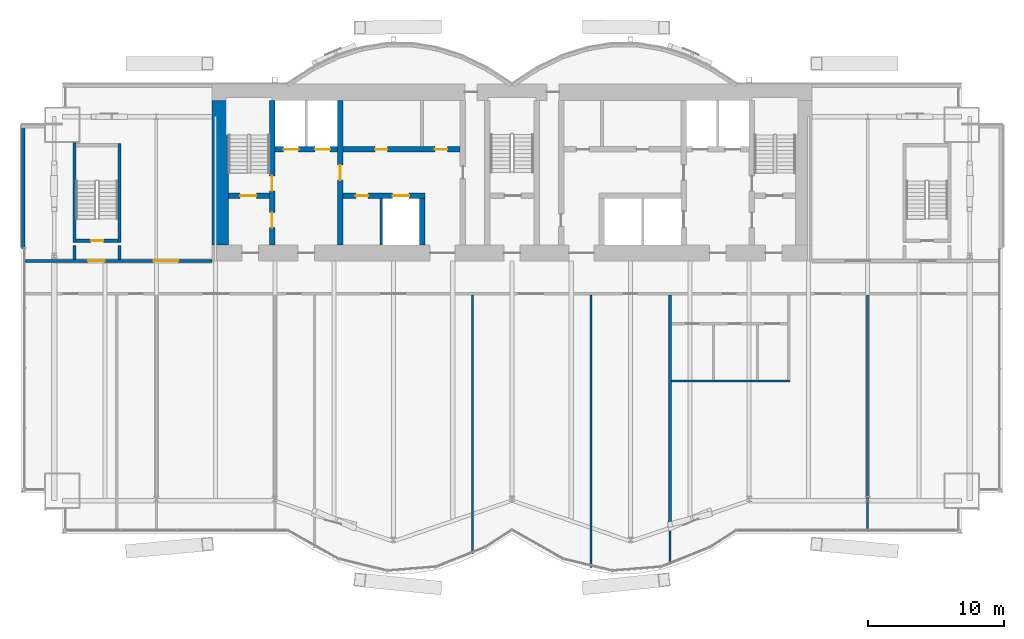
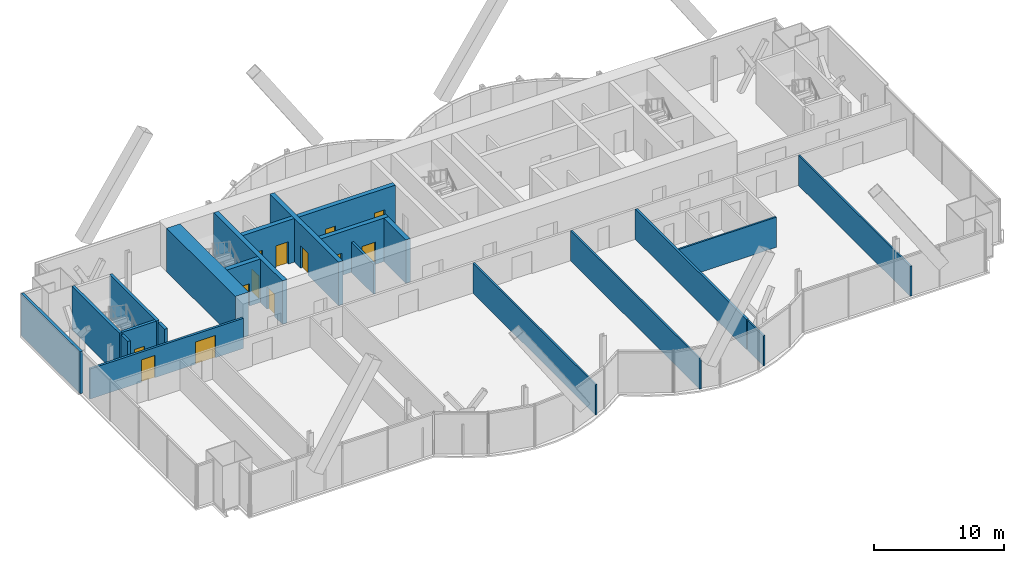
# One storey, part 15 of 21: 21 walls, 13 doors, 13 openings.
"""IFC4 building model written with IfcOpenShell, lengths in metres."""

import ifcopenshell
import ifcopenshell.guid

model = None  # the IFC model being written
_history = None  # IfcOwnerHistory: only IFC2X3 demands one
_inside = {}  # id of a spatial element -> (the spatial element, [elements in it])
_under = {}  # id of a project, library or spatial element -> (it, [spatial elements below it])
_declared = {}  # id of a project -> (the project, [libraries it declares])
_typed = {}  # id of a type object -> (the type object, [elements of that type])
_made_of = {}  # id of a material, layer set ... -> (it, [elements and type objects made of it])


def new_model(schema):
    """Start an empty IFC model of exactly this schema.

    Asked for "IFC4X3", IfcOpenShell would pick the latest addendum, in which some entities
    have other attributes; the version numbers below select the first issue.
    IFC2X3 requires an IfcOwnerHistory on every rooted entity: one is made here for all.
    """
    global model, _history
    if schema == "IFC4X3":
        model = ifcopenshell.file(schema_version=(4, 3, 0, 0))
    else:
        model = ifcopenshell.file(schema=schema)
    _inside.clear()
    _under.clear()
    _declared.clear()
    _typed.clear()
    _made_of.clear()
    _history = None
    if model.schema == "IFC2X3":
        org = make("IfcOrganization", Name="unknown")
        user = make(
            "IfcPersonAndOrganization",
            ThePerson=make("IfcPerson", FamilyName="unknown"),
            TheOrganization=org,
        )
        app = make(
            "IfcApplication",
            ApplicationDeveloper=org,
            Version="unknown",
            ApplicationFullName="unknown",
            ApplicationIdentifier="unknown",
        )
        _history = make(
            "IfcOwnerHistory",
            OwningUser=user,
            OwningApplication=app,
            ChangeAction="ADDED",
            CreationDate=0,
        )
    return model


def make(cls, **values):
    """One entity of the class cls with the attributes given. An attribute that is None is left unset."""
    return model.create_entity(
        cls, **{name: value for name, value in values.items() if value is not None}
    )


def rooted(cls, **values):
    """An entity with a GlobalId (a new one), such as an element, a storey or a relation."""
    return make(cls, GlobalId=ifcopenshell.guid.new(), OwnerHistory=_history, **values)


def si_unit(unit_type, name, prefix=None):
    """IfcSIUnit, for example si_unit("LENGTHUNIT", "METRE", prefix="MILLI")."""
    return make("IfcSIUnit", UnitType=unit_type, Prefix=prefix, Name=name)


def assignment(units):
    """IfcUnitAssignment: the units of a project."""
    return None if units is None else make("IfcUnitAssignment", Units=units)


def point(xyz):
    """IfcCartesianPoint."""
    return None if xyz is None else make("IfcCartesianPoint", Coordinates=xyz)


def direction(xyz):
    """IfcDirection."""
    return None if xyz is None else make("IfcDirection", DirectionRatios=xyz)


def frame(location, z_axis=None, x_axis=None):
    """IfcAxis2Placement3D, a coordinate frame: its origin and axes. An axis left out is left unset."""
    return make(
        "IfcAxis2Placement3D",
        Location=point(location),
        Axis=direction(z_axis),
        RefDirection=direction(x_axis),
    )


def frame_2d(location, x_axis=None):
    """IfcAxis2Placement2D, a coordinate frame in the plane: its origin and x axis."""
    return make(
        "IfcAxis2Placement2D", Location=point(location), RefDirection=direction(x_axis)
    )


def origin():
    """The frame at (0, 0, 0) with its axes left unset."""
    return frame((0.0, 0.0, 0.0))


def place(relative_to, where):
    """IfcLocalPlacement: puts the frame where relative to a parent placement (None: the world)."""
    return make(
        "IfcLocalPlacement", PlacementRelTo=relative_to, RelativePlacement=where
    )


def context(
    kind, dimensions, precision=None, world=None, true_north=None, identifier=None
):
    """IfcGeometricRepresentationContext, for example the 3D "Model" context."""
    return make(
        "IfcGeometricRepresentationContext",
        ContextIdentifier=identifier,
        ContextType=kind,
        CoordinateSpaceDimension=dimensions,
        Precision=precision,
        WorldCoordinateSystem=world,
        TrueNorth=true_north,
    )


def subcontext(parent, identifier, kind, view, scale=None):
    """IfcGeometricRepresentationSubContext, for example "Body" below "Model"."""
    return make(
        "IfcGeometricRepresentationSubContext",
        ContextIdentifier=identifier,
        ContextType=kind,
        ParentContext=parent,
        TargetScale=scale,
        TargetView=view,
    )


def project(units=None, contexts=None):
    """IfcProject with its units and contexts."""
    return rooted(
        "IfcProject",
        Name="project",
        RepresentationContexts=contexts,
        UnitsInContext=assignment(units),
    )


def spatial(cls, under=None, at=None, **own):
    """A site, building, storey or space (cls), placed at a placement, below another one or the project."""
    s = rooted(cls, ObjectPlacement=at, **own)
    if under is not None:
        _under.setdefault(under.id(), (under, []))[1].append(s)
    return s


def profile(cls, at=None, kind="AREA", **sizes):
    """A parametric profile (cls). Its sizes go by their IFC names, for example OverallWidth=200.0."""
    return make(cls, ProfileType=kind, Position=at, **sizes)


def rectangle(**sizes):
    """IfcRectangleProfileDef."""
    return profile("IfcRectangleProfileDef", **sizes)


def extrude(swept, where, along, depth):
    """IfcExtrudedAreaSolid: the profile swept, set in the frame where, extruded along a direction by depth."""
    return make(
        "IfcExtrudedAreaSolid",
        SweptArea=swept,
        Position=where,
        ExtrudedDirection=direction(along),
        Depth=depth,
    )


def shape(context_of_items, identifier, shape_type, items):
    """IfcShapeRepresentation: the items that make up one representation, for example the "Body"."""
    return make(
        "IfcShapeRepresentation",
        ContextOfItems=context_of_items,
        RepresentationIdentifier=identifier,
        RepresentationType=shape_type,
        Items=items,
    )


def material(Name=None, Category=None):
    """IfcMaterial."""
    return make("IfcMaterial", Name=Name, Category=Category)


def layer(
    of_material, thickness, ventilated=None, Name=None, Category=None, Priority=None
):
    """IfcMaterialLayer: one layer of a wall or slab, of a material (None: an air gap)."""
    return make(
        "IfcMaterialLayer",
        Material=of_material,
        LayerThickness=thickness,
        IsVentilated=ventilated,
        Name=Name,
        Category=Category,
        Priority=Priority,
    )


def layer_set(layers, Name=None):
    """IfcMaterialLayerSet."""
    return make("IfcMaterialLayerSet", MaterialLayers=layers, LayerSetName=Name)


def layer_usage(for_layer_set, set_direction, sense, offset, extent=None):
    """IfcMaterialLayerSetUsage: how a layer set lies in its element."""
    return make(
        "IfcMaterialLayerSetUsage",
        ForLayerSet=for_layer_set,
        LayerSetDirection=set_direction,
        DirectionSense=sense,
        OffsetFromReferenceLine=offset,
        ReferenceExtent=extent,
    )


def made_of(thing, what):
    """Note that an element or type object is made of a material, layer set ...; save() writes the relation."""
    if what is not None:
        _made_of.setdefault(what.id(), (what, []))[1].append(thing)
    return thing


def type_object(cls, material=None, **own):
    """A type object (cls), such as IfcWallType, which elements share."""
    return made_of(rooted(cls, **own), material)


def element(
    cls,
    number,
    at=None,
    inside=None,
    cuts=None,
    type_object=None,
    material=None,
    context=None,
    identifier="Body",
    shape_type=None,
    held_by="IfcProductDefinitionShape",
    body=None,
    shapes=None,
    **own,
):
    """One element of the class cls, such as IfcWall. Its Tag is "e" and its number.

    at: its placement. inside: the storey or other place that contains it. cuts: it is an
    opening in that element (IfcRelVoidsElement). A single representation is given by context,
    identifier, shape_type and body (its items); several are given by shapes. held_by: the class
    of the entity that holds the representations. save() writes the other relations.
    """
    e = rooted(cls, Tag="e%d" % number, ObjectPlacement=at, **own)
    if body is not None:
        shapes = [shape(context, identifier, shape_type, body)]
    if shapes is not None:
        e.Representation = make(held_by, Representations=shapes)
    if inside is not None:
        _inside.setdefault(inside.id(), (inside, []))[1].append(e)
    if cuts is not None:
        rooted(
            "IfcRelVoidsElement", RelatingBuildingElement=cuts, RelatedOpeningElement=e
        )
    if type_object is not None:
        _typed.setdefault(type_object.id(), (type_object, []))[1].append(e)
    return made_of(e, material)


def fill(opening, filler):
    """IfcRelFillsElement: the door or window that sits in an opening."""
    return rooted(
        "IfcRelFillsElement",
        RelatingOpeningElement=opening,
        RelatedBuildingElement=filler,
    )


def aggregate(whole, parts):
    """IfcRelAggregates: a whole, such as a stair, and the parts it consists of."""
    return rooted("IfcRelAggregates", RelatingObject=whole, RelatedObjects=parts)


def save(model, path):
    """Write the relations noted so far, then the file.

    IfcRelAggregates (storeys below a building ...), IfcRelContainedInSpatialStructure (elements
    in a storey), IfcRelDefinesByType, IfcRelAssociatesMaterial and IfcRelDeclares: one each for
    every whole, place, type object, material and project.
    """
    for whole, parts in _under.values():
        aggregate(whole, parts)
    for where, things in _inside.values():
        rooted(
            "IfcRelContainedInSpatialStructure",
            RelatedElements=things,
            RelatingStructure=where,
        )
    for kind, things in _typed.values():
        rooted("IfcRelDefinesByType", RelatedObjects=things, RelatingType=kind)
    for what, things in _made_of.values():
        rooted("IfcRelAssociatesMaterial", RelatedObjects=things, RelatingMaterial=what)
    for by, libraries in _declared.values():
        rooted("IfcRelDeclares", RelatingContext=by, RelatedDefinitions=libraries)
    model.write(path)


model = new_model("IFC4")

# Units and contexts
model_context = context("Model", 3, precision=1e-05, world=origin(), true_north=direction((0.0, 1.0)))
body_context = subcontext(model_context, "Body", "Model", "MODEL_VIEW")
ifc_project = project(units=[si_unit("LENGTHUNIT", "METRE"), si_unit("AREAUNIT", "SQUARE_METRE"), si_unit("VOLUMEUNIT", "CUBIC_METRE"), si_unit("PLANEANGLEUNIT", "RADIAN"), si_unit("MASSUNIT", "GRAM", prefix="KILO")], contexts=[model_context])

# Site, building, storey
site_placement = place(None, origin())
site = spatial("IfcSite", under=ifc_project, at=site_placement, CompositionType="ELEMENT")
building_placement = place(site_placement, origin())
building = spatial("IfcBuilding", under=site, at=building_placement, Name="Bicima Exchange Tower", CompositionType="ELEMENT")
storey_placement = place(building_placement, frame((0.0, 0.0, 195.0)))
storey = spatial("IfcBuildingStorey", under=building, at=storey_placement, Name="L43", CompositionType="ELEMENT", Elevation=195.0)

# Wall
ifc_material_1 = material(Name="Gypsum board partition")
ifc_layer_1 = layer(ifc_material_1, 0.199951171875)
ifc_layer_set_1 = layer_set([ifc_layer_1], Name="Gypsum board partition")
wall_type_1 = type_object("IfcWallType", Name="Fire-rated gypsum partition 200 EI120", PredefinedType="PARTITIONING", material=ifc_layer_set_1)
wall_1_placement = place(storey_placement, frame((-9.60009765625, -11.800048828125, 0.0), z_axis=(0.0, 0.0, 1.0), x_axis=(0.0, 1.0, 0.0)))
element("IfcWall", 1, at=wall_1_placement, inside=storey, type_object=wall_type_1, Name="partition wall 11", PredefinedType="PARTITIONING", context=body_context, shape_type="SweptSolid", body=[
    extrude(rectangle(XDim=3.400146484375, YDim=0.199951171875, at=frame_2d((1.7001953125, 0.0))), origin(), (0.0, 0.0, 1.0), 2.84033203125),
])

# Wall, openings, doors
ifc_layer_2 = layer(ifc_material_1, 0.199951171875)
ifc_layer_set_2 = layer_set([ifc_layer_2], Name="Gypsum board partition")
wall_type_2 = type_object("IfcWallType", Name="Fire-rated gypsum partition 200 EI60", PredefinedType="PARTITIONING", material=ifc_layer_set_2)
wall_2_placement = place(storey_placement, frame((-35.679931640625, -13.0, 0.0), z_axis=(0.0, 0.0, 1.0), x_axis=(1.0, 0.0, 0.0)))
wall_2 = element("IfcWall", 2, at=wall_2_placement, inside=storey, type_object=wall_type_2, Name="partition wall 4", PredefinedType="PARTITIONING", context=body_context, shape_type="SweptSolid", body=[
    extrude(rectangle(XDim=13.679931640625, YDim=0.199951171875, at=frame_2d((6.83984375, 0.0))), origin(), (0.0, 0.0, 1.0), 2.84033203125),
])
opening_1_placement = place(wall_2_placement, frame((4.580078125, 0.0, 0.0)))
opening_1 = element("IfcOpeningElement", 3, at=opening_1_placement, cuts=wall_2, Name="Opening L43-001", PredefinedType="OPENING", context=body_context, shape_type="SweptSolid", body=[
    extrude(rectangle(XDim=1.199951171875, YDim=2.10009765625, at=frame_2d((0.60009765625, 1.050048828125))), frame((0.0, 0.11181640625, 0.0), z_axis=(0.0, -1.0, 0.0), x_axis=(1.0, 0.0, 0.0)), (0.0, 0.0, 1.0), 0.223876953125),
])
opening_2_placement = place(wall_2_placement, frame((9.3798828125, 0.0, 0.0)))
opening_2 = element("IfcOpeningElement", 4, at=opening_2_placement, cuts=wall_2, Name="Opening L43-005", PredefinedType="OPENING", context=body_context, shape_type="SweptSolid", body=[
    extrude(rectangle(XDim=1.800048828125, YDim=2.10009765625, at=frame_2d((0.89990234375, 1.050048828125))), frame((0.0, 0.11181640625, 0.0), z_axis=(0.0, -1.0, 0.0), x_axis=(1.0, 0.0, 0.0)), (0.0, 0.0, 1.0), 0.223876953125),
])
ifc_material_2 = material(Name="Steel fire door leaf", Category="steel")
door_type_1 = type_object("IfcDoorType", Name="Door 1200 swing FD30S", OperationType="SINGLE_SWING_LEFT", PredefinedType="DOOR", material=ifc_material_2)
door_1_placement = place(opening_1_placement, origin())
door_1 = element("IfcDoor", 5, at=door_1_placement, inside=storey, type_object=door_type_1, Name="Door", OperationType="SINGLE_SWING_LEFT", OverallHeight=2.10009765625, OverallWidth=1.199951171875, PredefinedType="DOOR", context=body_context, shape_type="SweptSolid", body=[
    extrude(rectangle(XDim=1.199951171875, YDim=2.10009765625, at=frame_2d((0.60009765625, 1.050048828125))), frame((0.0, 0.02490234375, 0.0), z_axis=(0.0, -1.0, 0.0), x_axis=(1.0, 0.0, 0.0)), (0.0, 0.0, 1.0), 0.050048828125),
])
fill(opening_1, door_1)
door_type_2 = type_object("IfcDoorType", Name="Door 1800 double swing FD30S", OperationType="DOUBLE_DOOR_SINGLE_SWING", PredefinedType="DOOR", material=ifc_material_2)
door_2_placement = place(opening_2_placement, origin())
door_2 = element("IfcDoor", 6, at=door_2_placement, inside=storey, type_object=door_type_2, Name="Door", OperationType="SINGLE_SWING_LEFT", OverallHeight=2.10009765625, OverallWidth=1.800048828125, PredefinedType="DOOR", context=body_context, shape_type="SweptSolid", body=[
    extrude(rectangle(XDim=1.800048828125, YDim=2.10009765625, at=frame_2d((0.89990234375, 1.050048828125))), frame((0.0, 0.02490234375, 0.0), z_axis=(0.0, -1.0, 0.0), x_axis=(1.0, 0.0, 0.0)), (0.0, 0.0, 1.0), 0.050048828125),
])
fill(opening_2, door_2)

# Walls
wall_3_placement = place(storey_placement, frame((11.60009765625, -32.6591796875, 0.0), z_axis=(0.0, 0.0, 1.0), x_axis=(0.0, 1.0, 0.0)))
element("IfcWall", 7, at=wall_3_placement, inside=storey, type_object=wall_type_2, Name="partition wall 20", PredefinedType="PARTITIONING", context=body_context, shape_type="SweptSolid", body=[
    extrude(rectangle(XDim=17.1591796875, YDim=0.199951171875, at=frame_2d((8.57958984375, 0.0))), origin(), (0.0, 0.0, 1.0), 2.84033203125),
])
ifc_layer_3 = layer(ifc_material_1, 0.14990234375)
ifc_layer_set_3 = layer_set([ifc_layer_3], Name="Gypsum board partition")
wall_type_3 = type_object("IfcWallType", Name="Gypsum partition 150", PredefinedType="PARTITIONING", material=ifc_layer_set_3)
wall_4_placement = place(storey_placement, frame((11.699951171875, -21.800048828125, 0.0), z_axis=(0.0, 0.0, 1.0), x_axis=(1.0, 0.0, 0.0)))
element("IfcWall", 8, at=wall_4_placement, inside=storey, type_object=wall_type_3, Name="partition wall 1", PredefinedType="PARTITIONING", context=body_context, shape_type="SweptSolid", body=[
    extrude(rectangle(XDim=8.699951171875, YDim=0.14990234375, at=frame_2d((4.35009765625, 0.0))), origin(), (0.0, 0.0, 1.0), 2.84033203125),
])
wall_5_placement = place(storey_placement, frame((-2.89990234375, -34.43994140625, 0.0), z_axis=(0.0, 0.0, 1.0), x_axis=(0.0, 1.0, 0.0)))
element("IfcWall", 9, at=wall_5_placement, inside=storey, type_object=wall_type_3, Name="partition wall 17", PredefinedType="PARTITIONING", context=body_context, shape_type="SweptSolid", body=[
    extrude(rectangle(XDim=18.93994140625, YDim=0.14990234375, at=frame_2d((9.469970703125, 0.0))), origin(), (0.0, 0.0, 1.0), 2.84033203125),
])
wall_6_placement = place(storey_placement, frame((5.800048828125, -35.469970703125, 0.0), z_axis=(0.0, 0.0, 1.0), x_axis=(0.0, 1.0, 0.0)))
element("IfcWall", 10, at=wall_6_placement, inside=storey, type_object=wall_type_3, Name="partition wall 18", PredefinedType="PARTITIONING", context=body_context, shape_type="SweptSolid", body=[
    extrude(rectangle(XDim=19.969970703125, YDim=0.14990234375, at=frame_2d((9.98486328125, 0.0))), origin(), (0.0, 0.0, 1.0), 2.84033203125),
])
wall_7_placement = place(storey_placement, frame((11.60009765625, -35.219970703125, 0.0), z_axis=(0.0, 0.0, 1.0), x_axis=(0.0, 1.0, 0.0)))
element("IfcWall", 11, at=wall_7_placement, inside=storey, type_object=wall_type_3, Name="partition wall 19", PredefinedType="PARTITIONING", context=body_context, shape_type="SweptSolid", body=[
    extrude(rectangle(XDim=2.408203125, YDim=0.14990234375, at=frame_2d((1.2041015625, 0.0))), origin(), (0.0, 0.0, 1.0), 2.84033203125),
])
wall_8_placement = place(storey_placement, frame((26.10009765625, -32.760009765625, 0.0), z_axis=(0.0, 0.0, 1.0), x_axis=(0.0, 1.0, 0.0)))
element("IfcWall", 12, at=wall_8_placement, inside=storey, type_object=wall_type_3, Name="partition wall 24", PredefinedType="PARTITIONING", context=body_context, shape_type="SweptSolid", body=[
    extrude(rectangle(XDim=17.260009765625, YDim=0.14990234375, at=frame_2d((8.6298828125, 0.0))), origin(), (0.0, 0.0, 1.0), 2.84033203125),
])
ifc_material_3 = material(Name="Concrete C50/60", Category="concrete")
ifc_layer_4 = layer(ifc_material_3, 1.199951171875)
ifc_layer_set_4 = layer_set([ifc_layer_4], Name="Concrete C50/60")
wall_type_4 = type_object("IfcWallType", Name="RC core wall 1200 C50/60", PredefinedType="SHEAR", material=ifc_layer_set_4)
wall_9_placement = place(storey_placement, frame((-21.39990234375, -11.800048828125, 0.0), z_axis=(0.0, 0.0, 1.0), x_axis=(0.0, 1.0, 0.0)))
element("IfcWall", 13, at=wall_9_placement, inside=storey, type_object=wall_type_4, Name="Core wall west", PredefinedType="SHEAR", context=body_context, shape_type="SweptSolid", body=[
    extrude(rectangle(XDim=10.60009765625, YDim=1.199951171875, at=frame_2d((5.300048828125, 0.0))), origin(), (0.0, 0.0, 1.0), 4.10009765625),
])
ifc_layer_5 = layer(ifc_material_3, 0.25)
ifc_layer_set_5 = layer_set([ifc_layer_5], Name="Concrete C50/60")
wall_type_5 = type_object("IfcWallType", Name="RC core wall 250 C50/60", PredefinedType="SHEAR", material=ifc_layer_set_5)
for number, where, z_axis, x_axis, name in (
    (14, (-32.10009765625, -12.89990234375, 0.0), (0.0, 0.0, 1.0), (0.0, 1.0, 0.0), "stair wall 10"),
    (15, (-28.800048828125, -12.89990234375, 0.0), (0.0, 0.0, 1.0), (0.0, 1.0, 0.0), "stair wall 12"),
):
    element("IfcWall", number, at=place(storey_placement, frame(where, z_axis=z_axis, x_axis=x_axis)), inside=storey, type_object=wall_type_5, Name=name, PredefinedType="SHEAR", context=body_context, shape_type="SweptSolid", body=[
        extrude(rectangle(XDim=1.0498046875, YDim=0.25, at=frame_2d((0.52490234375, 0.0))), origin(), (0.0, 0.0, 1.0), 4.10009765625),
    ])

# Wall, opening, door
ifc_layer_6 = layer(ifc_material_3, 0.39990234375)
ifc_layer_set_6 = layer_set([ifc_layer_6], Name="Concrete C50/60")
wall_type_6 = type_object("IfcWallType", Name="RC core wall 400 C50/60", PredefinedType="SHEAR", material=ifc_layer_set_6)
wall_10_placement = place(storey_placement, frame((-20.800048828125, -8.199951171875, 0.0), z_axis=(0.0, 0.0, 1.0), x_axis=(1.0, 0.0, 0.0)))
wall_10 = element("IfcWall", 16, at=wall_10_placement, inside=storey, type_object=wall_type_6, Name="stair wall 1", PredefinedType="SHEAR", context=body_context, shape_type="SweptSolid", body=[
    extrude(rectangle(XDim=3.0, YDim=0.39990234375, at=frame_2d((1.5, 0.0))), origin(), (0.0, 0.0, 1.0), 4.10009765625),
])
opening_3_placement = place(wall_10_placement, frame((0.85009765625, 0.0, 0.0)))
opening_3 = element("IfcOpeningElement", 17, at=opening_3_placement, cuts=wall_10, Name="Opening L43-C01", PredefinedType="OPENING", context=body_context, shape_type="SweptSolid", body=[
    extrude(rectangle(XDim=1.199951171875, YDim=2.10009765625, at=frame_2d((0.60009765625, 1.050048828125))), frame((0.0, 0.2119140625, 0.0), z_axis=(0.0, -1.0, 0.0), x_axis=(1.0, 0.0, 0.0)), (0.0, 0.0, 1.0), 0.423828125),
])
door_type_3 = type_object("IfcDoorType", Name="Door 1200 swing FD60S", OperationType="SINGLE_SWING_LEFT", PredefinedType="DOOR", material=ifc_material_2)
door_3_placement = place(opening_3_placement, origin())
door_3 = element("IfcDoor", 18, at=door_3_placement, inside=storey, type_object=door_type_3, Name="Core door", OperationType="SINGLE_SWING_LEFT", OverallHeight=2.10009765625, OverallWidth=1.199951171875, PredefinedType="DOOR", context=body_context, shape_type="SweptSolid", body=[
    extrude(rectangle(XDim=1.199951171875, YDim=2.10009765625, at=frame_2d((0.60009765625, 1.050048828125))), frame((0.0, 0.02490234375, 0.0), z_axis=(0.0, -1.0, 0.0), x_axis=(1.0, 0.0, 0.0)), (0.0, 0.0, 1.0), 0.050048828125),
])
fill(opening_3, door_3)

# Wall, openings, doors
wall_11_placement = place(storey_placement, frame((-12.39990234375, -8.199951171875, 0.0), z_axis=(0.0, 0.0, 1.0), x_axis=(1.0, 0.0, 0.0)))
wall_11 = element("IfcWall", 19, at=wall_11_placement, inside=storey, type_object=wall_type_6, Name="shear wall 2", PredefinedType="SHEAR", context=body_context, shape_type="SweptSolid", body=[
    extrude(rectangle(XDim=6.0, YDim=0.39990234375, at=frame_2d((3.0, 0.0))), origin(), (0.0, 0.0, 1.0), 4.10009765625),
])
opening_4_placement = place(wall_11_placement, frame((3.64990234375, 0.0, 0.0)))
opening_4 = element("IfcOpeningElement", 20, at=opening_4_placement, cuts=wall_11, Name="Opening LD-MB1-L43", PredefinedType="OPENING", context=body_context, shape_type="SweptSolid", body=[
    extrude(rectangle(XDim=1.199951171875, YDim=2.10009765625, at=frame_2d((0.60009765625, 1.050048828125))), frame((0.0, 0.2119140625, 0.0), z_axis=(0.0, -1.0, 0.0), x_axis=(1.0, 0.0, 0.0)), (0.0, 0.0, 1.0), 0.423828125),
])
opening_5_placement = place(wall_11_placement, frame((0.949951171875, 0.0, 0.0)))
opening_5 = element("IfcOpeningElement", 21, at=opening_5_placement, cuts=wall_11, Name="Opening L43-C16", PredefinedType="OPENING", context=body_context, shape_type="SweptSolid", body=[
    extrude(rectangle(XDim=0.89990234375, YDim=2.10009765625, at=frame_2d((0.449951171875, 1.050048828125))), frame((0.0, 0.2119140625, 0.0), z_axis=(0.0, -1.0, 0.0), x_axis=(1.0, 0.0, 0.0)), (0.0, 0.0, 1.0), 0.423828125),
])
door_type_4 = type_object("IfcDoorType", Name="Door 900 swing FD30S", OperationType="SINGLE_SWING_LEFT", PredefinedType="DOOR", material=ifc_material_2)
door_4_placement = place(opening_5_placement, frame((0.89990234375, 0.0, 0.0), z_axis=(0.0, 0.0, 1.0), x_axis=(-1.0, 0.0, 0.0)))
door_4 = element("IfcDoor", 22, at=door_4_placement, inside=storey, type_object=door_type_4, Name="Core door", OperationType="SINGLE_SWING_LEFT", OverallHeight=2.10009765625, OverallWidth=0.89990234375, PredefinedType="DOOR", context=body_context, shape_type="SweptSolid", body=[
    extrude(rectangle(XDim=0.89990234375, YDim=2.10009765625, at=frame_2d((0.449951171875, 1.050048828125))), frame((0.0, 0.02490234375, 0.0), z_axis=(0.0, -1.0, 0.0), x_axis=(1.0, 0.0, 0.0)), (0.0, 0.0, 1.0), 0.050048828125),
])
fill(opening_5, door_4)
ifc_material_4 = material(Name="Stainless steel", Category="steel")
door_type_5 = type_object("IfcDoorType", Name="Lift landing door 1200 sliding", OperationType="DOUBLE_DOOR_SLIDING", PredefinedType="DOOR", material=ifc_material_4)
door_5_placement = place(opening_4_placement, origin())
door_5 = element("IfcDoor", 23, at=door_5_placement, inside=storey, type_object=door_type_5, Name="Lift landing door MB1", OperationType="DOUBLE_DOOR_SLIDING", OverallHeight=2.10009765625, OverallWidth=1.199951171875, PredefinedType="DOOR", context=body_context, shape_type="SweptSolid", body=[
    extrude(rectangle(XDim=1.199951171875, YDim=2.10009765625, at=frame_2d((0.60009765625, 1.050048828125))), frame((0.0, 0.02490234375, 0.0), z_axis=(0.0, -1.0, 0.0), x_axis=(1.0, 0.0, 0.0)), (0.0, 0.0, 1.0), 0.050048828125),
])
fill(opening_4, door_5)

wall_12_placement = place(storey_placement, frame((-17.39990234375, -4.800048828125, 0.0), z_axis=(0.0, 0.0, 1.0), x_axis=(1.0, 0.0, 0.0)))
wall_12 = element("IfcWall", 24, at=wall_12_placement, inside=storey, type_object=wall_type_6, Name="shear wall 6", PredefinedType="SHEAR", context=body_context, shape_type="SweptSolid", body=[
    extrude(rectangle(XDim=13.599853515625, YDim=0.39990234375, at=frame_2d((6.7998046875, 0.0))), origin(), (0.0, 0.0, 1.0), 4.10009765625),
])
opening_6_placement = place(wall_12_placement, frame((0.64990234375, 0.0, 0.0)))
opening_6 = element("IfcOpeningElement", 25, at=opening_6_placement, cuts=wall_12, Name="Opening LD-FF1-L43", PredefinedType="OPENING", context=body_context, shape_type="SweptSolid", body=[
    extrude(rectangle(XDim=1.10009765625, YDim=2.10009765625, at=frame_2d((0.550048828125, 1.050048828125))), frame((0.0, 0.2119140625, 0.0), z_axis=(0.0, -1.0, 0.0), x_axis=(1.0, 0.0, 0.0)), (0.0, 0.0, 1.0), 0.423828125),
])
opening_7_placement = place(wall_12_placement, frame((2.949951171875, 0.0, 0.0)))
opening_7 = element("IfcOpeningElement", 26, at=opening_7_placement, cuts=wall_12, Name="Opening LD-FF3-L43", PredefinedType="OPENING", context=body_context, shape_type="SweptSolid", body=[
    extrude(rectangle(XDim=1.10009765625, YDim=2.10009765625, at=frame_2d((0.550048828125, 1.050048828125))), frame((0.0, 0.2119140625, 0.0), z_axis=(0.0, -1.0, 0.0), x_axis=(1.0, 0.0, 0.0)), (0.0, 0.0, 1.0), 0.423828125),
])
opening_8_placement = place(wall_12_placement, frame((7.35009765625, 0.0, 0.0)))
opening_8 = element("IfcOpeningElement", 27, at=opening_8_placement, cuts=wall_12, Name="Opening L43-C12", PredefinedType="OPENING", context=body_context, shape_type="SweptSolid", body=[
    extrude(rectangle(XDim=0.89990234375, YDim=2.10009765625, at=frame_2d((0.449951171875, 1.050048828125))), frame((0.0, 0.2119140625, 0.0), z_axis=(0.0, -1.0, 0.0), x_axis=(1.0, 0.0, 0.0)), (0.0, 0.0, 1.0), 0.423828125),
])
opening_9_placement = place(wall_12_placement, frame((11.75, 0.0, 0.0)))
opening_9 = element("IfcOpeningElement", 28, at=opening_9_placement, cuts=wall_12, Name="Opening L43-C13", PredefinedType="OPENING", context=body_context, shape_type="SweptSolid", body=[
    extrude(rectangle(XDim=0.89990234375, YDim=2.10009765625, at=frame_2d((0.449951171875, 1.050048828125))), frame((0.0, 0.2119140625, 0.0), z_axis=(0.0, -1.0, 0.0), x_axis=(1.0, 0.0, 0.0)), (0.0, 0.0, 1.0), 0.423828125),
])
door_6_placement = place(opening_8_placement, origin())
door_6 = element("IfcDoor", 29, at=door_6_placement, inside=storey, type_object=door_type_4, Name="Core door", OperationType="SINGLE_SWING_RIGHT", OverallHeight=2.10009765625, OverallWidth=0.89990234375, PredefinedType="DOOR", context=body_context, shape_type="SweptSolid", body=[
    extrude(rectangle(XDim=0.89990234375, YDim=2.10009765625, at=frame_2d((0.449951171875, 1.050048828125))), frame((0.0, 0.02490234375, 0.0), z_axis=(0.0, -1.0, 0.0), x_axis=(1.0, 0.0, 0.0)), (0.0, 0.0, 1.0), 0.050048828125),
])
fill(opening_8, door_6)
door_7_placement = place(opening_9_placement, origin())
door_7 = element("IfcDoor", 30, at=door_7_placement, inside=storey, type_object=door_type_4, Name="Core door", OperationType="SINGLE_SWING_LEFT", OverallHeight=2.10009765625, OverallWidth=0.89990234375, PredefinedType="DOOR", context=body_context, shape_type="SweptSolid", body=[
    extrude(rectangle(XDim=0.89990234375, YDim=2.10009765625, at=frame_2d((0.449951171875, 1.050048828125))), frame((0.0, 0.02490234375, 0.0), z_axis=(0.0, -1.0, 0.0), x_axis=(1.0, 0.0, 0.0)), (0.0, 0.0, 1.0), 0.050048828125),
])
fill(opening_9, door_7)
door_type_6 = type_object("IfcDoorType", Name="Lift landing door 1100 sliding", OperationType="DOUBLE_DOOR_SLIDING", PredefinedType="DOOR", material=ifc_material_4)
door_8_placement = place(opening_6_placement, origin())
door_8 = element("IfcDoor", 31, at=door_8_placement, inside=storey, type_object=door_type_6, Name="Lift landing door FF1", OperationType="DOUBLE_DOOR_SLIDING", OverallHeight=2.10009765625, OverallWidth=1.10009765625, PredefinedType="DOOR", context=body_context, shape_type="SweptSolid", body=[
    extrude(rectangle(XDim=1.10009765625, YDim=2.10009765625, at=frame_2d((0.550048828125, 1.050048828125))), frame((0.0, 0.02490234375, 0.0), z_axis=(0.0, -1.0, 0.0), x_axis=(1.0, 0.0, 0.0)), (0.0, 0.0, 1.0), 0.050048828125),
])
fill(opening_6, door_8)
door_9_placement = place(opening_7_placement, origin())
door_9 = element("IfcDoor", 32, at=door_9_placement, inside=storey, type_object=door_type_6, Name="Lift landing door FF3", OperationType="DOUBLE_DOOR_SLIDING", OverallHeight=2.10009765625, OverallWidth=1.10009765625, PredefinedType="DOOR", context=body_context, shape_type="SweptSolid", body=[
    extrude(rectangle(XDim=1.10009765625, YDim=2.10009765625, at=frame_2d((0.550048828125, 1.050048828125))), frame((0.0, 0.02490234375, 0.0), z_axis=(0.0, -1.0, 0.0), x_axis=(1.0, 0.0, 0.0)), (0.0, 0.0, 1.0), 0.050048828125),
])
fill(opening_7, door_9)

wall_13_placement = place(storey_placement, frame((-17.60009765625, -11.800048828125, 0.0), z_axis=(0.0, 0.0, 1.0), x_axis=(0.0, 1.0, 0.0)))
wall_13 = element("IfcWall", 33, at=wall_13_placement, inside=storey, type_object=wall_type_6, Name="stair wall 8", PredefinedType="SHEAR", context=body_context, shape_type="SweptSolid", body=[
    extrude(rectangle(XDim=10.60009765625, YDim=0.39990234375, at=frame_2d((5.300048828125, 0.0))), origin(), (0.0, 0.0, 1.0), 4.10009765625),
])
opening_10_placement = place(wall_13_placement, frame((1.25, 0.0, 0.0)))
opening_10 = element("IfcOpeningElement", 34, at=opening_10_placement, cuts=wall_13, Name="Opening L43-C02", PredefinedType="OPENING", context=body_context, shape_type="SweptSolid", body=[
    extrude(rectangle(XDim=1.10009765625, YDim=2.10009765625, at=frame_2d((0.550048828125, 1.050048828125))), frame((0.0, 0.2119140625, 0.0), z_axis=(0.0, -1.0, 0.0), x_axis=(1.0, 0.0, 0.0)), (0.0, 0.0, 1.0), 0.423828125),
])
opening_11_placement = place(wall_13_placement, frame((3.949951171875, 0.0, 0.0)))
opening_11 = element("IfcOpeningElement", 35, at=opening_11_placement, cuts=wall_13, Name="Opening L43-C06", PredefinedType="OPENING", context=body_context, shape_type="SweptSolid", body=[
    extrude(rectangle(XDim=1.10009765625, YDim=2.10009765625, at=frame_2d((0.550048828125, 1.050048828125))), frame((0.0, 0.2119140625, 0.0), z_axis=(0.0, -1.0, 0.0), x_axis=(1.0, 0.0, 0.0)), (0.0, 0.0, 1.0), 0.423828125),
])
door_type_7 = type_object("IfcDoorType", Name="Door 1100 swing FD60S", OperationType="SINGLE_SWING_LEFT", PredefinedType="DOOR", material=ifc_material_2)
door_10_placement = place(opening_10_placement, frame((1.10009765625, 0.0, 0.0), z_axis=(0.0, 0.0, 1.0), x_axis=(-1.0, 0.0, 0.0)))
door_10 = element("IfcDoor", 36, at=door_10_placement, inside=storey, type_object=door_type_7, Name="Core door", OperationType="SINGLE_SWING_LEFT", OverallHeight=2.10009765625, OverallWidth=1.10009765625, PredefinedType="DOOR", context=body_context, shape_type="SweptSolid", body=[
    extrude(rectangle(XDim=1.10009765625, YDim=2.10009765625, at=frame_2d((0.550048828125, 1.050048828125))), frame((0.0, 0.02490234375, 0.0), z_axis=(0.0, -1.0, 0.0), x_axis=(1.0, 0.0, 0.0)), (0.0, 0.0, 1.0), 0.050048828125),
])
fill(opening_10, door_10)
door_11_placement = place(opening_11_placement, frame((1.10009765625, 0.0, 0.0), z_axis=(0.0, 0.0, 1.0), x_axis=(-1.0, 0.0, 0.0)))
door_11 = element("IfcDoor", 37, at=door_11_placement, inside=storey, type_object=door_type_7, Name="Core door", OperationType="SINGLE_SWING_LEFT", OverallHeight=2.10009765625, OverallWidth=1.10009765625, PredefinedType="DOOR", context=body_context, shape_type="SweptSolid", body=[
    extrude(rectangle(XDim=1.10009765625, YDim=2.10009765625, at=frame_2d((0.550048828125, 1.050048828125))), frame((0.0, 0.02490234375, 0.0), z_axis=(0.0, -1.0, 0.0), x_axis=(1.0, 0.0, 0.0)), (0.0, 0.0, 1.0), 0.050048828125),
])
fill(opening_11, door_11)

# Wall, opening, door
wall_14_placement = place(storey_placement, frame((-12.60009765625, -11.800048828125, 0.0), z_axis=(0.0, 0.0, 1.0), x_axis=(0.0, 1.0, 0.0)))
wall_14 = element("IfcWall", 38, at=wall_14_placement, inside=storey, type_object=wall_type_6, Name="shear wall 10", PredefinedType="SHEAR", context=body_context, shape_type="SweptSolid", body=[
    extrude(rectangle(XDim=10.60009765625, YDim=0.39990234375, at=frame_2d((5.300048828125, 0.0))), origin(), (0.0, 0.0, 1.0), 4.10009765625),
])
opening_12_placement = place(wall_14_placement, frame((4.75, 0.0, 0.0)))
opening_12 = element("IfcOpeningElement", 39, at=opening_12_placement, cuts=wall_14, Name="Opening L43-C07", PredefinedType="OPENING", context=body_context, shape_type="SweptSolid", body=[
    extrude(rectangle(XDim=1.10009765625, YDim=2.10009765625, at=frame_2d((0.550048828125, 1.050048828125))), frame((0.0, 0.2119140625, 0.0), z_axis=(0.0, -1.0, 0.0), x_axis=(1.0, 0.0, 0.0)), (0.0, 0.0, 1.0), 0.423828125),
])
door_12_placement = place(opening_12_placement, origin())
door_12 = element("IfcDoor", 40, at=door_12_placement, inside=storey, type_object=door_type_7, Name="Core door", OperationType="SINGLE_SWING_LEFT", OverallHeight=2.10009765625, OverallWidth=1.10009765625, PredefinedType="DOOR", context=body_context, shape_type="SweptSolid", body=[
    extrude(rectangle(XDim=1.10009765625, YDim=2.10009765625, at=frame_2d((0.550048828125, 1.050048828125))), frame((0.0, 0.02490234375, 0.0), z_axis=(0.0, -1.0, 0.0), x_axis=(1.0, 0.0, 0.0)), (0.0, 0.0, 1.0), 0.050048828125),
])
fill(opening_12, door_12)

# Walls
wall_15_placement = place(storey_placement, frame((-6.60009765625, -11.800048828125, 0.0), z_axis=(0.0, 0.0, 1.0), x_axis=(0.0, 1.0, 0.0)))
element("IfcWall", 41, at=wall_15_placement, inside=storey, type_object=wall_type_6, Name="shear wall 12", PredefinedType="SHEAR", context=body_context, shape_type="SweptSolid", body=[
    extrude(rectangle(XDim=3.400146484375, YDim=0.39990234375, at=frame_2d((1.7001953125, 0.0))), origin(), (0.0, 0.0, 1.0), 4.10009765625),
])
ifc_layer_7 = layer(ifc_material_3, 0.25)
ifc_layer_set_7 = layer_set([ifc_layer_7], Name="Concrete C50/60")
wall_type_7 = type_object("IfcWallType", Name="RC stair enclosure wall 250 C50/60", PredefinedType="SHEAR", material=ifc_layer_set_7)
wall_16_placement = place(storey_placement, frame((-32.10009765625, -11.625, 0.0), z_axis=(0.0, 0.0, 1.0), x_axis=(0.0, 1.0, 0.0)))
element("IfcWall", 42, at=wall_16_placement, inside=storey, type_object=wall_type_7, Name="West end exit stair wall W", PredefinedType="SHEAR", context=body_context, shape_type="SweptSolid", body=[
    extrude(rectangle(XDim=7.324951171875, YDim=0.25, at=frame_2d((3.66259765625, 0.0))), origin(), (0.0, 0.0, 1.0), 4.10009765625),
])
wall_17_placement = place(storey_placement, frame((-28.800048828125, -11.625, 0.0), z_axis=(0.0, 0.0, 1.0), x_axis=(0.0, 1.0, 0.0)))
element("IfcWall", 43, at=wall_17_placement, inside=storey, type_object=wall_type_7, Name="West end exit stair wall E", PredefinedType="SHEAR", context=body_context, shape_type="SweptSolid", body=[
    extrude(rectangle(XDim=7.25, YDim=0.25, at=frame_2d((3.625, 0.0))), origin(), (0.0, 0.0, 1.0), 4.10009765625),
])

# Wall, opening, door
wall_18_placement = place(storey_placement, frame((-31.97509765625, -11.5, 0.0), z_axis=(0.0, 0.0, 1.0), x_axis=(1.0, 0.0, 0.0)))
wall_18 = element("IfcWall", 44, at=wall_18_placement, inside=storey, type_object=wall_type_7, Name="West end exit stair wall S", PredefinedType="SHEAR", context=body_context, shape_type="SweptSolid", body=[
    extrude(rectangle(XDim=3.050048828125, YDim=0.25, at=frame_2d((1.52490234375, 0.0))), origin(), (0.0, 0.0, 1.0), 4.10009765625),
])
opening_13_placement = place(wall_18_placement, frame((1.10009765625, 0.0, 0.0)))
opening_13 = element("IfcOpeningElement", 45, at=opening_13_placement, cuts=wall_18, Name="Opening L43-002", PredefinedType="OPENING", context=body_context, shape_type="SweptSolid", body=[
    extrude(rectangle(XDim=0.89990234375, YDim=2.10009765625, at=frame_2d((0.449951171875, 1.050048828125))), frame((0.0, 0.136962890625, 0.0), z_axis=(0.0, -1.0, 0.0), x_axis=(1.0, 0.0, 0.0)), (0.0, 0.0, 1.0), 0.27392578125),
])
door_type_8 = type_object("IfcDoorType", Name="Door 900 swing FD60S", OperationType="SINGLE_SWING_LEFT", PredefinedType="DOOR", material=ifc_material_2)
door_13_placement = place(opening_13_placement, origin())
door_13 = element("IfcDoor", 46, at=door_13_placement, inside=storey, type_object=door_type_8, Name="Door", OperationType="SINGLE_SWING_LEFT", OverallHeight=2.10009765625, OverallWidth=0.89990234375, PredefinedType="DOOR", context=body_context, shape_type="SweptSolid", body=[
    extrude(rectangle(XDim=0.89990234375, YDim=2.10009765625, at=frame_2d((0.449951171875, 1.050048828125))), frame((0.0, 0.02490234375, 0.0), z_axis=(0.0, -1.0, 0.0), x_axis=(1.0, 0.0, 0.0)), (0.0, 0.0, 1.0), 0.050048828125),
])
fill(opening_13, door_13)

# Wall
ifc_material_5 = material(Name="Concrete C40/50", Category="concrete")
ifc_layer_8 = layer(ifc_material_5, 0.25)
ifc_layer_set_8 = layer_set([ifc_layer_8], Name="Concrete C40/50")
ifc_layer_usage = layer_usage(ifc_layer_set_8, "AXIS2", "POSITIVE", -0.125)
wall_type_8 = type_object("IfcWallType", Name="Rear backup wall 250", PredefinedType="STANDARD", material=ifc_layer_set_8)
wall_19_placement = place(storey_placement, frame((-35.875, -3.0, 0.0), z_axis=(0.0, 0.0, 1.0), x_axis=(0.0, -1.0, 0.0)))
element("IfcWall", 47, at=wall_19_placement, inside=storey, type_object=wall_type_8, material=ifc_layer_usage, Name="Rear backup wall L43 23", PredefinedType="STANDARD", context=body_context, shape_type="SweptSolid", body=[
    extrude(rectangle(XDim=9.090087890625, YDim=0.25, at=frame_2d((4.544921875, 0.0))), origin(), (0.0, 0.0, 1.0), 3.949951171875),
])

save(model, "model.ifc")
